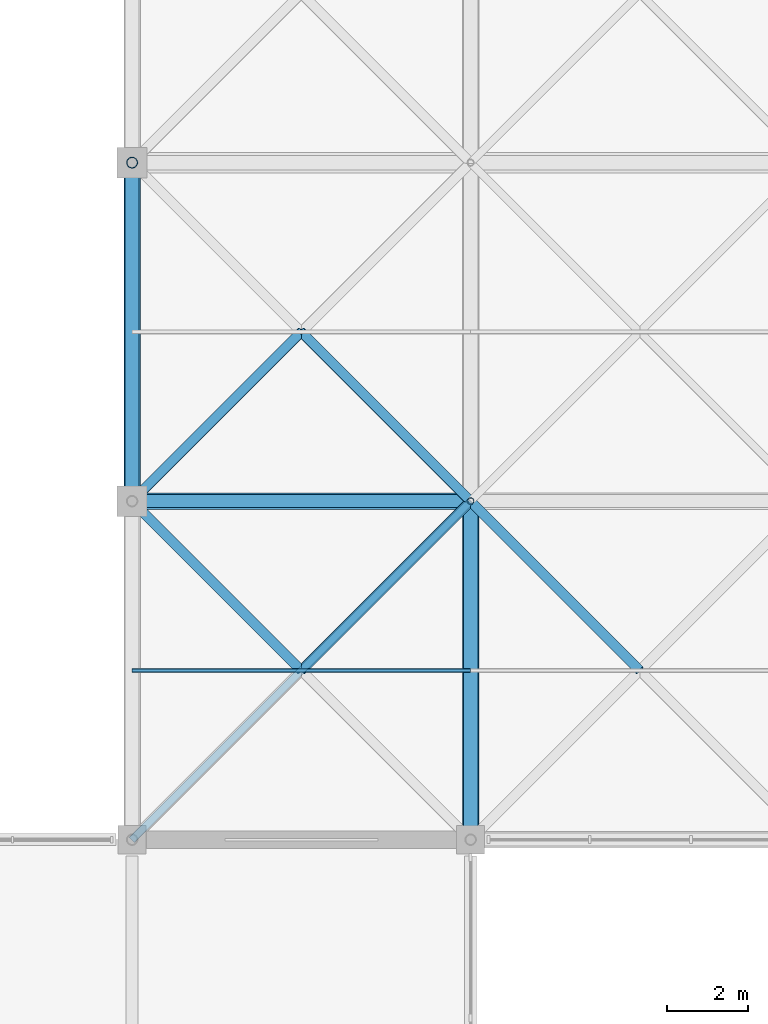
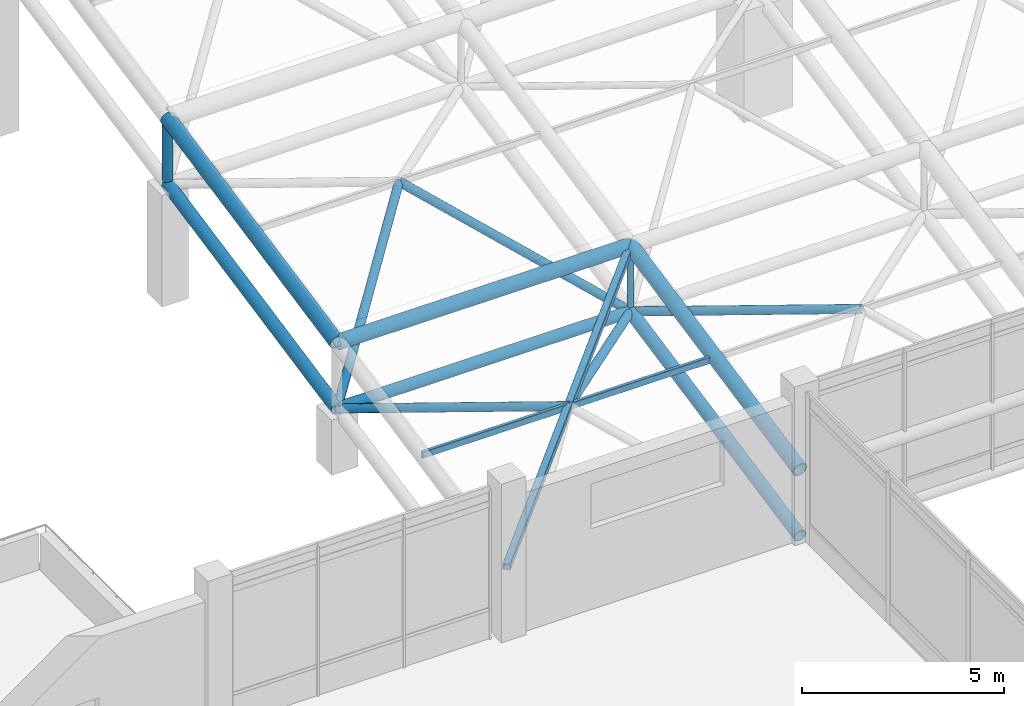
# One storey, part 23 of 110: 15 members.
"""IFC4 building model written with IfcOpenShell, lengths in metres."""

from ifc_helpers import new_model, si_unit, direction, frame, origin, origin_2d, place, context, subcontext, project, spatial, hollow_rectangle, hollow_circle, extrude, material, material_profile, profile_set, type_object, element, save


model = new_model("IFC4")

# Units and contexts
model_context = context("Model", 3, precision=1e-05, world=origin(), true_north=direction((0.0, 1.0)))
body_context = subcontext(model_context, "Body", "Model", "MODEL_VIEW")
ifc_project = project(units=[si_unit("LENGTHUNIT", "METRE"), si_unit("AREAUNIT", "SQUARE_METRE"), si_unit("VOLUMEUNIT", "CUBIC_METRE"), si_unit("PLANEANGLEUNIT", "RADIAN"), si_unit("MASSUNIT", "GRAM", prefix="KILO")], contexts=[model_context])

# Site, building, storey
site_placement = place(None, origin())
site = spatial("IfcSite", under=ifc_project, at=site_placement, CompositionType="ELEMENT")
building_placement = place(site_placement, origin())
building = spatial("IfcBuilding", under=site, at=building_placement, Name="Qawsi Khor Wholesale Market", CompositionType="ELEMENT")
storey_placement = place(building_placement, frame((0.0, 0.0, 11.39990234375)))
storey = spatial("IfcBuildingStorey", under=building, at=storey_placement, Name="L02", CompositionType="ELEMENT", Elevation=11.39990234375)

# Members
ifc_material = material(Name="Steel S355", Category="steel")
ifc_material_profile_1 = material_profile(ifc_material, hollow_rectangle(XDim=0.199951171875, YDim=0.199951171875, WallThickness=0.010009765625, InnerFilletRadius=0.010009765625, OuterFilletRadius=0.02001953125, at=origin_2d()), Name="SHS 200x200x10.0")
ifc_profile_set_1 = profile_set([ifc_material_profile_1], Name="Steel S355")
member_type_1 = type_object("IfcMemberType", Name="Roof Plan Brace SHS 200x200x10.0", PredefinedType="BRACE", material=ifc_profile_set_1)
member_1_placement = place(storey_placement, frame((142.800048828125, 42.0, 1.97021484375), z_axis=(0.699975935871, 0.699975935871, 0.14165937457), x_axis=(-0.707106781187, 0.707106781187, 0.0)))
element("IfcMember", 1, at=member_1_placement, inside=storey, type_object=member_type_1, Name="Space frame plan brace EH (17,5)", PredefinedType="BRACE", context=body_context, shape_type="SweptSolid", body=[
    extrude(hollow_rectangle(XDim=0.199951171875, YDim=0.199951171875, WallThickness=0.010009765625, InnerFilletRadius=0.010009765625, OuterFilletRadius=0.02001953125, at=origin_2d()), origin(), (0.0, 0.0, 1.0), 12.000244140625),
])
ifc_material_profile_2 = material_profile(ifc_material, hollow_circle(Radius=0.177734375, WallThickness=0.01611328125, at=origin_2d()), Name="CHS 355.6x16.0")
ifc_profile_set_2 = profile_set([ifc_material_profile_2], Name="Steel S355")
member_type_2 = type_object("IfcMemberType", Name="Space-Frame Bottom Chord CHS 355.6x16.0", PredefinedType="CHORD", material=ifc_profile_set_2)
for number, where, z_axis, x_axis, name in (
    (2, (142.800048828125, 50.39990234375, 1.670166015625), (0.0, 0.98013111127, 0.198350711418), (-1.0, 0.0, 0.0), "Space frame bottom chord Y EH (17,6)"),
    (3, (151.199951171875, 42.0, -0.02978515625), (0.0, 0.980129990483, 0.1983562496), (-1.0, 0.0, 0.0), "Space frame bottom chord Y EH (18,5)"),
):
    element("IfcMember", number, at=place(storey_placement, frame(where, z_axis=z_axis, x_axis=x_axis)), inside=storey, type_object=member_type_2, Name=name, PredefinedType="CHORD", context=body_context, shape_type="SweptSolid", body=[
        extrude(hollow_circle(Radius=0.177734375, WallThickness=0.01611328125, at=origin_2d()), origin(), (0.0, 0.0, 1.0), 8.5703125),
    ])
ifc_material_profile_3 = material_profile(ifc_material, hollow_circle(Radius=0.136474609375, WallThickness=0.012451171875, at=origin_2d()), Name="CHS 273.0x12.5")
ifc_profile_set_3 = profile_set([ifc_material_profile_3], Name="Steel S355")
member_type_3 = type_object("IfcMemberType", Name="Space-Frame Edge Post CHS 273.0x12.5", PredefinedType="POST", material=ifc_profile_set_3)
member_2_placement = place(storey_placement, frame((142.800048828125, 58.800048828125, 3.3701171875), z_axis=(0.0, 0.0, 1.0), x_axis=(1.0, 0.0, 0.0)))
element("IfcMember", 4, at=member_2_placement, inside=storey, type_object=member_type_3, Name="Space frame post EH (17,7)", PredefinedType="POST", context=body_context, shape_type="SweptSolid", body=[
    extrude(hollow_circle(Radius=0.136474609375, WallThickness=0.012451171875, at=origin_2d()), origin(), (0.0, 0.0, 1.0), 2.0),
])
ifc_material_profile_4 = material_profile(ifc_material, hollow_circle(Radius=0.122314453125, WallThickness=0.012451171875, at=origin_2d()), Name="CHS 244.5x12.5")
ifc_profile_set_4 = profile_set([ifc_material_profile_4], Name="Steel S355")
member_type_4 = type_object("IfcMemberType", Name="Space-Frame Heavy Diagonal CHS 244.5x12.5", PredefinedType="POST", material=ifc_profile_set_4)
for number, where, z_axis, x_axis, name in (
    (5, (151.199951171875, 50.39990234375, 1.670166015625), (-0.694216714393, -0.694216714393, 0.190069216113), (0.707106781187, -0.707106781187, 0.0), "Space frame diagonal EH (17,5)-3"),
    (6, (142.800048828125, 50.39990234375, 1.670166015625), (0.694216714393, -0.694216714393, 0.190069216113), (0.707106781187, 0.707106781187, 0.0), "Space frame diagonal EH (17,5)-4"),
):
    element("IfcMember", number, at=place(storey_placement, frame(where, z_axis=z_axis, x_axis=x_axis)), inside=storey, type_object=member_type_4, Name=name, PredefinedType="POST", context=body_context, shape_type="SweptSolid", body=[
        extrude(hollow_circle(Radius=0.122314453125, WallThickness=0.012451171875, at=origin_2d()), origin(), (0.0, 0.0, 1.0), 6.0498046875),
    ])
for number, where, z_axis, x_axis, name in (
    (7, (142.800048828125, 50.39990234375, 1.670166015625), (0.637506899628, 0.637543957519, 0.432576762155), (-0.707127332136, 0.70708622964, 0.0), "Space frame diagonal EH (17,6)-1"),
    (8, (151.199951171875, 50.39990234375, 1.670166015625), (-0.637506899628, 0.637543957519, 0.432576762155), (-0.707127332136, -0.70708622964, 0.0), "Space frame diagonal EH (17,6)-2"),
):
    element("IfcMember", number, at=place(storey_placement, frame(where, z_axis=z_axis, x_axis=x_axis)), inside=storey, type_object=member_type_4, Name=name, PredefinedType="POST", context=body_context, shape_type="SweptSolid", body=[
        extrude(hollow_circle(Radius=0.122314453125, WallThickness=0.012451171875, at=origin_2d()), origin(), (0.0, 0.0, 1.0), 6.588134765625),
    ])
member_3_placement = place(storey_placement, frame((151.199951171875, 50.39990234375, 1.670166015625), z_axis=(0.694216714393, -0.694216714393, 0.190069216113), x_axis=(0.707106781187, 0.707106781187, 0.0)))
element("IfcMember", 9, at=member_3_placement, inside=storey, type_object=member_type_4, Name="Space frame diagonal EH (18,5)-4", PredefinedType="POST", context=body_context, shape_type="SweptSolid", body=[
    extrude(hollow_circle(Radius=0.122314453125, WallThickness=0.012451171875, at=origin_2d()), origin(), (0.0, 0.0, 1.0), 6.0498046875),
])
ifc_material_profile_5 = material_profile(ifc_material, hollow_rectangle(XDim=0.10009765625, YDim=0.199951171875, WallThickness=0.008056640625, InnerFilletRadius=0.008056640625, OuterFilletRadius=0.01611328125, at=origin_2d()), Name="RHS 200x100x8.0")
ifc_profile_set_5 = profile_set([ifc_material_profile_5], Name="Steel S355")
member_type_5 = type_object("IfcMemberType", Name="Space-Frame Purlin RHS 200x100x8.0", PredefinedType="PURLIN", material=ifc_profile_set_5)
member_4_placement = place(storey_placement, frame((142.800048828125, 46.199951171875, 2.820068359375), z_axis=(1.0, 0.0, 0.0), x_axis=(0.0, 1.0, 0.0)))
element("IfcMember", 10, at=member_4_placement, inside=storey, type_object=member_type_5, Name="Space frame purlin EH (17,5)", PredefinedType="PURLIN", context=body_context, shape_type="SweptSolid", body=[
    extrude(hollow_rectangle(XDim=0.10009765625, YDim=0.199951171875, WallThickness=0.008056640625, InnerFilletRadius=0.008056640625, OuterFilletRadius=0.01611328125, at=origin_2d()), origin(), (0.0, 0.0, 1.0), 8.39990234375),
])
ifc_material_profile_6 = material_profile(ifc_material, hollow_circle(Radius=0.161865234375, WallThickness=0.01611328125, at=origin_2d()), Name="CHS 323.9x16.0")
ifc_profile_set_6 = profile_set([ifc_material_profile_6], Name="Steel S355")
member_type_6 = type_object("IfcMemberType", Name="Space-Frame Secondary Chord CHS 323.9x16.0", PredefinedType="CHORD", material=ifc_profile_set_6)
member_5_placement = place(storey_placement, frame((142.800048828125, 50.39990234375, 1.670166015625), z_axis=(1.0, 0.0, 0.0), x_axis=(0.0, 1.0, 0.0)))
element("IfcMember", 11, at=member_5_placement, inside=storey, type_object=member_type_6, Name="Space frame bottom chord X EH (17,6)", PredefinedType="CHORD", context=body_context, shape_type="SweptSolid", body=[
    extrude(hollow_circle(Radius=0.161865234375, WallThickness=0.01611328125, at=origin_2d()), origin(), (0.0, 0.0, 1.0), 8.39990234375),
])
ifc_material_profile_7 = material_profile(ifc_material, hollow_circle(Radius=0.203125, WallThickness=0.02001953125, at=origin_2d()), Name="CHS 406.4x20.0")
ifc_profile_set_7 = profile_set([ifc_material_profile_7], Name="Steel S355")
member_type_7 = type_object("IfcMemberType", Name="Space-Frame Top Chord CHS 406.4x20.0", PredefinedType="CHORD", material=ifc_profile_set_7)
member_6_placement = place(storey_placement, frame((142.800048828125, 50.39990234375, 3.670166015625), z_axis=(1.0, 0.0, 0.0), x_axis=(0.0, 1.0, 0.0)))
element("IfcMember", 12, at=member_6_placement, inside=storey, type_object=member_type_7, Name="Space frame top chord X EH (17,6)", PredefinedType="CHORD", context=body_context, shape_type="SweptSolid", body=[
    extrude(hollow_circle(Radius=0.203125, WallThickness=0.02001953125, at=origin_2d()), origin(), (0.0, 0.0, 1.0), 8.39990234375),
])
for number, where, z_axis, x_axis, name in (
    (13, (142.800048828125, 50.39990234375, 3.670166015625), (0.0, 0.98013111127, 0.198350711418), (-1.0, 0.0, 0.0), "Space frame top chord Y EH (17,6)"),
    (14, (151.199951171875, 42.0, 1.97021484375), (0.0, 0.980129990483, 0.1983562496), (-1.0, 0.0, 0.0), "Space frame top chord Y EH (18,5)"),
):
    element("IfcMember", number, at=place(storey_placement, frame(where, z_axis=z_axis, x_axis=x_axis)), inside=storey, type_object=member_type_7, Name=name, PredefinedType="CHORD", context=body_context, shape_type="SweptSolid", body=[
        extrude(hollow_circle(Radius=0.203125, WallThickness=0.02001953125, at=origin_2d()), origin(), (0.0, 0.0, 1.0), 8.5703125),
    ])
ifc_material_profile_8 = material_profile(ifc_material, hollow_circle(Radius=0.084228515625, WallThickness=0.008056640625, at=origin_2d()), Name="CHS 168.3x8.0")
ifc_profile_set_8 = profile_set([ifc_material_profile_8], Name="Steel S355")
member_type_8 = type_object("IfcMemberType", Name="Space-Frame Vertical Strut CHS 168.3x8.0", PredefinedType="STRUT", material=ifc_profile_set_8)
member_7_placement = place(storey_placement, frame((151.199951171875, 50.39990234375, 1.670166015625), z_axis=(0.0, 0.0, 1.0), x_axis=(1.0, 0.0, 0.0)))
element("IfcMember", 15, at=member_7_placement, inside=storey, type_object=member_type_8, Name="Space frame post EH (18,6)", PredefinedType="STRUT", context=body_context, shape_type="SweptSolid", body=[
    extrude(hollow_circle(Radius=0.084228515625, WallThickness=0.008056640625, at=origin_2d()), origin(), (0.0, 0.0, 1.0), 2.0),
])

save(model, "model.ifc")
